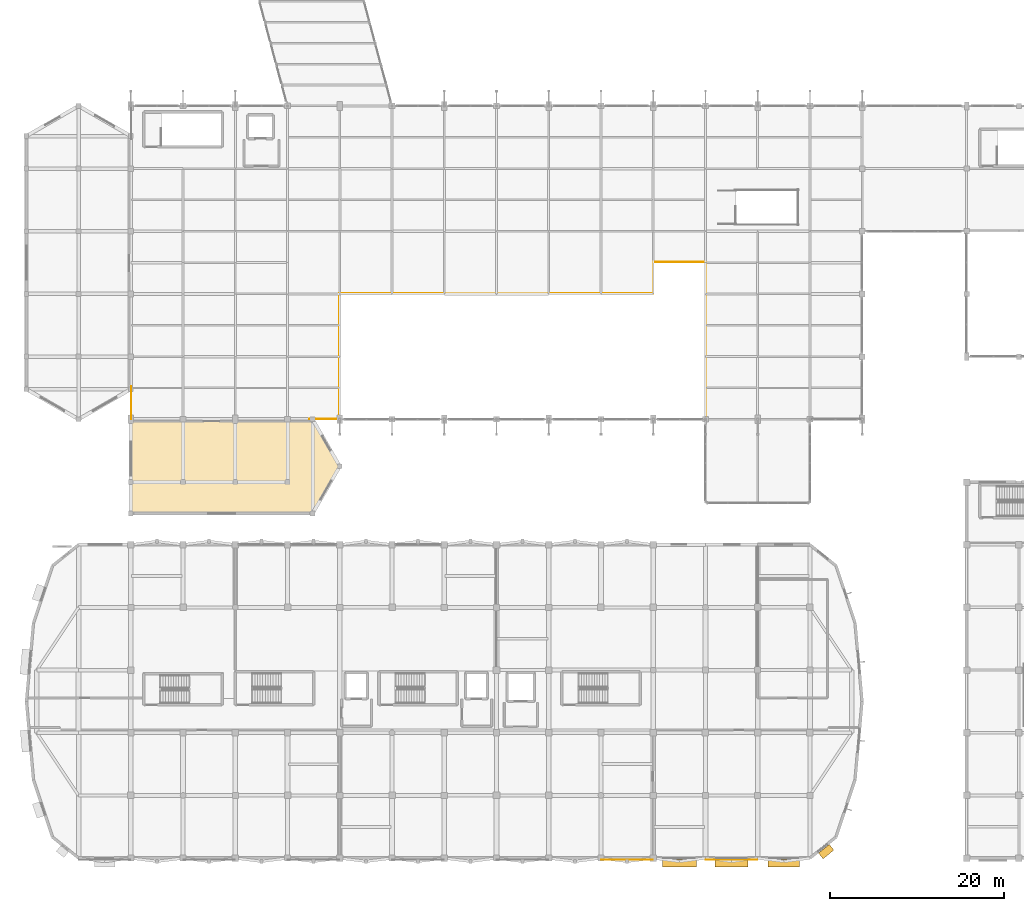
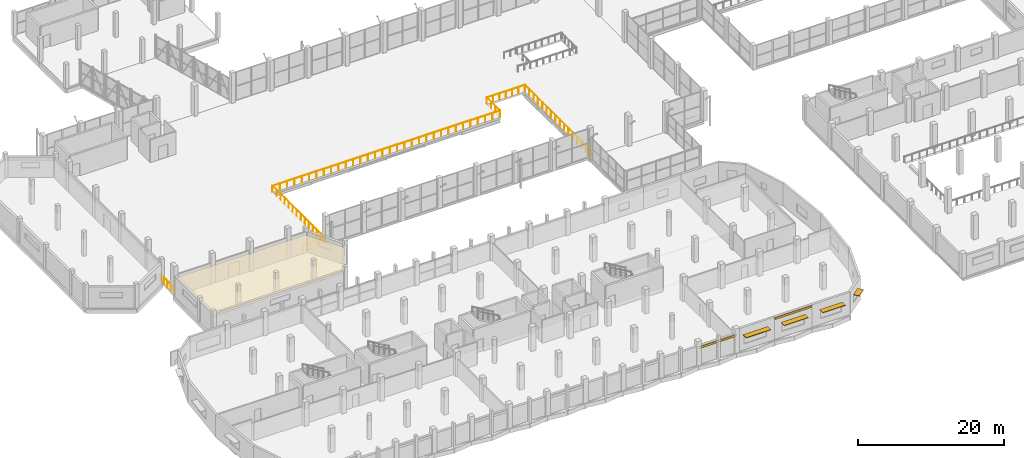
# One storey, part 119 of 127: 4 shading devices, 3 coverings, 2 railings.
"""IFC4 building model written with IfcOpenShell, lengths in metres."""

import ifcopenshell
import ifcopenshell.guid

model = None  # the IFC model being written
_history = None  # IfcOwnerHistory: only IFC2X3 demands one
_inside = {}  # id of a spatial element -> (the spatial element, [elements in it])
_under = {}  # id of a project, library or spatial element -> (it, [spatial elements below it])
_declared = {}  # id of a project -> (the project, [libraries it declares])
_typed = {}  # id of a type object -> (the type object, [elements of that type])
_made_of = {}  # id of a material, layer set ... -> (it, [elements and type objects made of it])


def new_model(schema):
    """Start an empty IFC model of exactly this schema.

    Asked for "IFC4X3", IfcOpenShell would pick the latest addendum, in which some entities
    have other attributes; the version numbers below select the first issue.
    IFC2X3 requires an IfcOwnerHistory on every rooted entity: one is made here for all.
    """
    global model, _history
    if schema == "IFC4X3":
        model = ifcopenshell.file(schema_version=(4, 3, 0, 0))
    else:
        model = ifcopenshell.file(schema=schema)
    _inside.clear()
    _under.clear()
    _declared.clear()
    _typed.clear()
    _made_of.clear()
    _history = None
    if model.schema == "IFC2X3":
        org = make("IfcOrganization", Name="unknown")
        user = make(
            "IfcPersonAndOrganization",
            ThePerson=make("IfcPerson", FamilyName="unknown"),
            TheOrganization=org,
        )
        app = make(
            "IfcApplication",
            ApplicationDeveloper=org,
            Version="unknown",
            ApplicationFullName="unknown",
            ApplicationIdentifier="unknown",
        )
        _history = make(
            "IfcOwnerHistory",
            OwningUser=user,
            OwningApplication=app,
            ChangeAction="ADDED",
            CreationDate=0,
        )
    return model


def make(cls, **values):
    """One entity of the class cls with the attributes given. An attribute that is None is left unset."""
    return model.create_entity(
        cls, **{name: value for name, value in values.items() if value is not None}
    )


def rooted(cls, **values):
    """An entity with a GlobalId (a new one), such as an element, a storey or a relation."""
    return make(cls, GlobalId=ifcopenshell.guid.new(), OwnerHistory=_history, **values)


def si_unit(unit_type, name, prefix=None):
    """IfcSIUnit, for example si_unit("LENGTHUNIT", "METRE", prefix="MILLI")."""
    return make("IfcSIUnit", UnitType=unit_type, Prefix=prefix, Name=name)


def assignment(units):
    """IfcUnitAssignment: the units of a project."""
    return None if units is None else make("IfcUnitAssignment", Units=units)


def point(xyz):
    """IfcCartesianPoint."""
    return None if xyz is None else make("IfcCartesianPoint", Coordinates=xyz)


def direction(xyz):
    """IfcDirection."""
    return None if xyz is None else make("IfcDirection", DirectionRatios=xyz)


def frame(location, z_axis=None, x_axis=None):
    """IfcAxis2Placement3D, a coordinate frame: its origin and axes. An axis left out is left unset."""
    return make(
        "IfcAxis2Placement3D",
        Location=point(location),
        Axis=direction(z_axis),
        RefDirection=direction(x_axis),
    )


def frame_2d(location, x_axis=None):
    """IfcAxis2Placement2D, a coordinate frame in the plane: its origin and x axis."""
    return make(
        "IfcAxis2Placement2D", Location=point(location), RefDirection=direction(x_axis)
    )


def origin():
    """The frame at (0, 0, 0) with its axes left unset."""
    return frame((0.0, 0.0, 0.0))


def origin_2d():
    """The frame at (0, 0) in the plane with its x axis left unset."""
    return frame_2d((0.0, 0.0))


def place(relative_to, where):
    """IfcLocalPlacement: puts the frame where relative to a parent placement (None: the world)."""
    return make(
        "IfcLocalPlacement", PlacementRelTo=relative_to, RelativePlacement=where
    )


def context(
    kind, dimensions, precision=None, world=None, true_north=None, identifier=None
):
    """IfcGeometricRepresentationContext, for example the 3D "Model" context."""
    return make(
        "IfcGeometricRepresentationContext",
        ContextIdentifier=identifier,
        ContextType=kind,
        CoordinateSpaceDimension=dimensions,
        Precision=precision,
        WorldCoordinateSystem=world,
        TrueNorth=true_north,
    )


def subcontext(parent, identifier, kind, view, scale=None):
    """IfcGeometricRepresentationSubContext, for example "Body" below "Model"."""
    return make(
        "IfcGeometricRepresentationSubContext",
        ContextIdentifier=identifier,
        ContextType=kind,
        ParentContext=parent,
        TargetScale=scale,
        TargetView=view,
    )


def project(units=None, contexts=None):
    """IfcProject with its units and contexts."""
    return rooted(
        "IfcProject",
        Name="project",
        RepresentationContexts=contexts,
        UnitsInContext=assignment(units),
    )


def spatial(cls, under=None, at=None, **own):
    """A site, building, storey or space (cls), placed at a placement, below another one or the project."""
    s = rooted(cls, ObjectPlacement=at, **own)
    if under is not None:
        _under.setdefault(under.id(), (under, []))[1].append(s)
    return s


def polyline(points):
    """IfcPolyline through the points."""
    return make("IfcPolyline", Points=[point(p) for p in points])


def profile(cls, at=None, kind="AREA", **sizes):
    """A parametric profile (cls). Its sizes go by their IFC names, for example OverallWidth=200.0."""
    return make(cls, ProfileType=kind, Position=at, **sizes)


def rectangle(**sizes):
    """IfcRectangleProfileDef."""
    return profile("IfcRectangleProfileDef", **sizes)


def circle(**sizes):
    """IfcCircleProfileDef."""
    return profile("IfcCircleProfileDef", **sizes)


def outline(outer, holes=None, kind="AREA"):
    """IfcArbitraryClosedProfileDef: a profile drawn as a closed curve; with holes, ...WithVoids."""
    if holes is None:
        return make("IfcArbitraryClosedProfileDef", ProfileType=kind, OuterCurve=outer)
    return make(
        "IfcArbitraryProfileDefWithVoids",
        ProfileType=kind,
        OuterCurve=outer,
        InnerCurves=holes,
    )


def extrude(swept, where, along, depth):
    """IfcExtrudedAreaSolid: the profile swept, set in the frame where, extruded along a direction by depth."""
    return make(
        "IfcExtrudedAreaSolid",
        SweptArea=swept,
        Position=where,
        ExtrudedDirection=direction(along),
        Depth=depth,
    )


def shape(context_of_items, identifier, shape_type, items):
    """IfcShapeRepresentation: the items that make up one representation, for example the "Body"."""
    return make(
        "IfcShapeRepresentation",
        ContextOfItems=context_of_items,
        RepresentationIdentifier=identifier,
        RepresentationType=shape_type,
        Items=items,
    )


def material(Name=None, Category=None):
    """IfcMaterial."""
    return make("IfcMaterial", Name=Name, Category=Category)


def layer(
    of_material, thickness, ventilated=None, Name=None, Category=None, Priority=None
):
    """IfcMaterialLayer: one layer of a wall or slab, of a material (None: an air gap)."""
    return make(
        "IfcMaterialLayer",
        Material=of_material,
        LayerThickness=thickness,
        IsVentilated=ventilated,
        Name=Name,
        Category=Category,
        Priority=Priority,
    )


def layer_set(layers, Name=None):
    """IfcMaterialLayerSet."""
    return make("IfcMaterialLayerSet", MaterialLayers=layers, LayerSetName=Name)


def made_of(thing, what):
    """Note that an element or type object is made of a material, layer set ...; save() writes the relation."""
    if what is not None:
        _made_of.setdefault(what.id(), (what, []))[1].append(thing)
    return thing


def type_object(cls, material=None, **own):
    """A type object (cls), such as IfcWallType, which elements share."""
    return made_of(rooted(cls, **own), material)


def element(
    cls,
    number,
    at=None,
    inside=None,
    cuts=None,
    type_object=None,
    material=None,
    context=None,
    identifier="Body",
    shape_type=None,
    held_by="IfcProductDefinitionShape",
    body=None,
    shapes=None,
    **own,
):
    """One element of the class cls, such as IfcWall. Its Tag is "e" and its number.

    at: its placement. inside: the storey or other place that contains it. cuts: it is an
    opening in that element (IfcRelVoidsElement). A single representation is given by context,
    identifier, shape_type and body (its items); several are given by shapes. held_by: the class
    of the entity that holds the representations. save() writes the other relations.
    """
    e = rooted(cls, Tag="e%d" % number, ObjectPlacement=at, **own)
    if body is not None:
        shapes = [shape(context, identifier, shape_type, body)]
    if shapes is not None:
        e.Representation = make(held_by, Representations=shapes)
    if inside is not None:
        _inside.setdefault(inside.id(), (inside, []))[1].append(e)
    if cuts is not None:
        rooted(
            "IfcRelVoidsElement", RelatingBuildingElement=cuts, RelatedOpeningElement=e
        )
    if type_object is not None:
        _typed.setdefault(type_object.id(), (type_object, []))[1].append(e)
    return made_of(e, material)


def aggregate(whole, parts):
    """IfcRelAggregates: a whole, such as a stair, and the parts it consists of."""
    return rooted("IfcRelAggregates", RelatingObject=whole, RelatedObjects=parts)


def save(model, path):
    """Write the relations noted so far, then the file.

    IfcRelAggregates (storeys below a building ...), IfcRelContainedInSpatialStructure (elements
    in a storey), IfcRelDefinesByType, IfcRelAssociatesMaterial and IfcRelDeclares: one each for
    every whole, place, type object, material and project.
    """
    for whole, parts in _under.values():
        aggregate(whole, parts)
    for where, things in _inside.values():
        rooted(
            "IfcRelContainedInSpatialStructure",
            RelatedElements=things,
            RelatingStructure=where,
        )
    for kind, things in _typed.values():
        rooted("IfcRelDefinesByType", RelatedObjects=things, RelatingType=kind)
    for what, things in _made_of.values():
        rooted("IfcRelAssociatesMaterial", RelatedObjects=things, RelatingMaterial=what)
    for by, libraries in _declared.values():
        rooted("IfcRelDeclares", RelatingContext=by, RelatedDefinitions=libraries)
    model.write(path)


model = new_model("IFC4")

# Units and contexts
model_context = context("Model", 3, precision=1e-05, world=origin(), true_north=direction((0.0, 1.0)))
body_context = subcontext(model_context, "Body", "Model", "MODEL_VIEW")
ifc_project = project(units=[si_unit("LENGTHUNIT", "METRE"), si_unit("AREAUNIT", "SQUARE_METRE"), si_unit("VOLUMEUNIT", "CUBIC_METRE"), si_unit("PLANEANGLEUNIT", "RADIAN"), si_unit("MASSUNIT", "GRAM", prefix="KILO")], contexts=[model_context])

# Site, building, storey
site_placement = place(None, origin())
site = spatial("IfcSite", under=ifc_project, at=site_placement, CompositionType="ELEMENT")
building_placement = place(site_placement, origin())
building = spatial("IfcBuilding", under=site, at=building_placement, Name="Dunvalen Ferry Terminal", CompositionType="ELEMENT")
storey_placement = place(building_placement, frame((0.0, 0.0, 5.760009765625)))
storey = spatial("IfcBuildingStorey", under=building, at=storey_placement, Name="L01", CompositionType="ELEMENT", Elevation=5.760009765625)

# Coverings
ifc_material_1 = material(Name="Anodised marine aluminium fascia cladding", Category="aluminium")
ifc_layer_1 = layer(ifc_material_1, 0.050048828125, Name="Anodised marine aluminium fascia cladding")
ifc_layer_set_1 = layer_set([ifc_layer_1], Name="Anodised marine aluminium fascia cladding")
covering_type_1 = type_object("IfcCoveringType", Name="ENV-COV-CLD01", PredefinedType="CLADDING", material=ifc_layer_set_1)
for number, where, z_axis, x_axis, name in (
    (1, (69.0, -0.18408203125, 2.68017578125), (0.0, 0.0, 1.0), (1.0, 0.0, 0.0), "L01 Streamline Speed-Line Fascia Band 013"),
    (2, (81.0, -0.18408203125, 3.35009765625), (0.0, 0.0, 1.0), (1.0, 0.0, 0.0), "L01 Streamline Speed-Line Fascia Band 014"),
):
    element("IfcCovering", number, at=place(storey_placement, frame(where, z_axis=z_axis, x_axis=x_axis)), inside=storey, type_object=covering_type_1, Name=name, PredefinedType="CLADDING", context=body_context, shape_type="SweptSolid", body=[
        extrude(rectangle(XDim=5.89990234375, YDim=0.050048828125, at=origin_2d()), origin(), (0.0, 0.0, 1.0), 0.360107421875),
    ])

# Shading devices
ifc_material_2 = material(Name="Anodised marine aluminium EN AW-6063 T6", Category="aluminium")
ifc_layer_2 = layer(ifc_material_2, 0.090087890625, Name="Anodised marine aluminium EN AW-6063 T6")
ifc_layer_set_2 = layer_set([ifc_layer_2], Name="Anodised marine aluminium EN AW-6063 T6")
shading_device_type = type_object("IfcShadingDeviceType", Name="ENV-SHD-AWN01", PredefinedType="AWNING", material=ifc_layer_set_2)
shading_device_1_placement = place(storey_placement, frame((75.0, -0.5810546875, 2.48486328125), z_axis=(0.0, 0.0, 1.0), x_axis=(1.0, 0.0, 0.0)))
element("IfcShadingDevice", 3, at=shading_device_1_placement, inside=storey, type_object=shading_device_type, Name="L01 Streamline Brise-Soleil Eyebrow 010", PredefinedType="AWNING", context=body_context, shape_type="SweptSolid", body=[
    extrude(rectangle(XDim=3.89990234375, YDim=0.85009765625, at=origin_2d()), origin(), (0.0, 0.0, 1.0), 0.090087890625),
])
shading_device_2_placement = place(storey_placement, frame((81.0, -0.5810546875, 2.43505859375), z_axis=(0.0, 0.0, 1.0), x_axis=(1.0, 0.0, 0.0)))
element("IfcShadingDevice", 4, at=shading_device_2_placement, inside=storey, type_object=shading_device_type, Name="L01 Streamline Brise-Soleil Eyebrow 011", PredefinedType="AWNING", context=body_context, shape_type="SweptSolid", body=[
    extrude(rectangle(XDim=3.800048828125, YDim=0.85009765625, at=origin_2d()), origin(), (0.0, 0.0, 1.0), 0.090087890625),
])
shading_device_3_placement = place(storey_placement, frame((87.0, -0.5810546875, 2.43505859375), z_axis=(0.0, 0.0, 1.0), x_axis=(1.0, 0.0, 0.0)))
element("IfcShadingDevice", 5, at=shading_device_3_placement, inside=storey, type_object=shading_device_type, Name="L01 Streamline Brise-Soleil Eyebrow 012", PredefinedType="AWNING", context=body_context, shape_type="SweptSolid", body=[
    extrude(rectangle(XDim=3.60009765625, YDim=0.85009765625, at=origin_2d()), origin(), (0.0, 0.0, 1.0), 0.090087890625),
])
shading_device_4_placement = place(storey_placement, frame((91.864013671875, 0.7529296875, 2.48486328125), z_axis=(0.0, 0.0, 1.0), x_axis=(0.779409252356, 0.626515137361, 0.0)))
element("IfcShadingDevice", 6, at=shading_device_4_placement, inside=storey, type_object=shading_device_type, Name="L01 Streamline Brise-Soleil Eyebrow 013", PredefinedType="AWNING", context=body_context, shape_type="SweptSolid", body=[
    extrude(rectangle(XDim=1.60009765625, YDim=0.85009765625, at=origin_2d()), origin(), (0.0, 0.0, 1.0), 0.090087890625),
])

# Covering
ifc_material_3 = material(Name="Perforated marine aluminium acoustic baffle ceiling", Category="aluminium")
ifc_layer_3 = layer(ifc_material_3, 0.0400390625, Name="Perforated marine aluminium acoustic baffle ceiling")
ifc_layer_set_3 = layer_set([ifc_layer_3], Name="Perforated marine aluminium acoustic baffle ceiling")
covering_type_2 = type_object("IfcCoveringType", Name="INT-COV-CLG01", PredefinedType="CEILING", material=ifc_layer_set_3)
covering_placement = place(storey_placement, frame((0.0, 0.0, 2.81005859375)))
element("IfcCovering", 7, at=covering_placement, inside=storey, type_object=covering_type_2, Name="L01 Upper Passenger Security Search Hall Acoustic Suspended Ceiling", PredefinedType="CEILING", context=body_context, shape_type="SweptSolid", body=[
    extrude(outline(polyline([(12.1298828125, 50.27001953125), (12.1298828125, 39.72998046875), (32.807373046875, 39.72998046875), (35.849853515625, 45.0), (32.807373046875, 50.27001953125), (12.1298828125, 50.27001953125)])), origin(), (0.0, 0.0, 1.0), 0.0400390625),
])

# Railings
ifc_material_4 = material(Name="Marine grade 316 stainless steel and laminated glass", Category="steel")
railing_type = type_object("IfcRailingType", Name="INT-RL-MZBAL", PredefinedType="BALUSTRADE", material=ifc_material_4)
railing_1_placement = place(storey_placement, frame((32.5, 50.449951171875, 0.0)))
element("IfcRailing", 8, at=railing_1_placement, inside=storey, type_object=railing_type, Name="L01 Internal Safety Guard BAL-V1-MEZZ-1", PredefinedType="BALUSTRADE", context=body_context, shape_type="SweptSolid", body=[
    extrude(circle(Radius=0.02392578125, at=origin_2d()), frame((0.0, 0.0, 1.09619140625), z_axis=(1.0, 0.0, 0.0), x_axis=(0.0, 1.0, 0.0)), (0.0, 0.0, 1.0), 3.449951171875),
    extrude(circle(Radius=0.02392578125, at=origin_2d()), frame((3.449951171875, 0.0, 1.09619140625), z_axis=(0.0, 1.0, 0.0), x_axis=(-1.0, 0.0, 0.0)), (0.0, 0.0, 1.0), 14.400146484375),
    extrude(circle(Radius=0.02392578125, at=origin_2d()), frame((3.449951171875, 14.400146484375, 1.09619140625), z_axis=(1.0, 0.0, 0.0), x_axis=(0.0, 1.0, 0.0)), (0.0, 0.0, 1.0), 36.050048828125),
    extrude(circle(Radius=0.02392578125, at=origin_2d()), frame((39.5, 14.400146484375, 1.09619140625), z_axis=(0.0, 1.0, 0.0), x_axis=(-1.0, 0.0, 0.0)), (0.0, 0.0, 1.0), 3.599853515625),
    extrude(circle(Radius=0.02392578125, at=origin_2d()), frame((39.5, 18.0, 1.09619140625), z_axis=(1.0, 0.0, 0.0), x_axis=(0.0, 1.0, 0.0)), (0.0, 0.0, 1.0), 6.050048828125),
    extrude(circle(Radius=0.02392578125, at=origin_2d()), frame((45.550048828125, 18.0, 1.09619140625), z_axis=(0.0, -1.0, 0.0), x_axis=(1.0, 0.0, 0.0)), (0.0, 0.0, 1.0), 18.0),
    extrude(circle(Radius=0.02099609375, at=origin_2d()), origin(), (0.0, 0.0, 1.0), 1.072021484375),
    extrude(circle(Radius=0.02099609375, at=origin_2d()), frame((1.14990234375, 0.0, 0.0)), (0.0, 0.0, 1.0), 1.072021484375),
    extrude(circle(Radius=0.02099609375, at=origin_2d()), frame((2.300048828125, 0.0, 0.0)), (0.0, 0.0, 1.0), 1.072021484375),
    extrude(circle(Radius=0.02099609375, at=origin_2d()), frame((3.449951171875, 0.0, 0.0)), (0.0, 0.0, 1.0), 1.072021484375),
    extrude(circle(Radius=0.02099609375, at=origin_2d()), frame((3.449951171875, 1.107666015625, 0.0)), (0.0, 0.0, 1.0), 1.072021484375),
    extrude(circle(Radius=0.02099609375, at=origin_2d()), frame((3.449951171875, 2.21533203125, 0.0)), (0.0, 0.0, 1.0), 1.072021484375),
    extrude(circle(Radius=0.02099609375, at=origin_2d()), frame((3.449951171875, 3.322998046875, 0.0)), (0.0, 0.0, 1.0), 1.072021484375),
    extrude(circle(Radius=0.02099609375, at=origin_2d()), frame((3.449951171875, 4.430908203125, 0.0)), (0.0, 0.0, 1.0), 1.072021484375),
    extrude(circle(Radius=0.02099609375, at=origin_2d()), frame((3.449951171875, 5.53857421875, 0.0)), (0.0, 0.0, 1.0), 1.072021484375),
    extrude(circle(Radius=0.02099609375, at=origin_2d()), frame((3.449951171875, 6.646240234375, 0.0)), (0.0, 0.0, 1.0), 1.072021484375),
    extrude(circle(Radius=0.02099609375, at=origin_2d()), frame((3.449951171875, 7.75390625, 0.0)), (0.0, 0.0, 1.0), 1.072021484375),
    extrude(circle(Radius=0.02099609375, at=origin_2d()), frame((3.449951171875, 8.861572265625, 0.0)), (0.0, 0.0, 1.0), 1.072021484375),
    extrude(circle(Radius=0.02099609375, at=origin_2d()), frame((3.449951171875, 9.96923828125, 0.0)), (0.0, 0.0, 1.0), 1.072021484375),
    extrude(circle(Radius=0.02099609375, at=origin_2d()), frame((3.449951171875, 11.0771484375, 0.0)), (0.0, 0.0, 1.0), 1.072021484375),
    extrude(circle(Radius=0.02099609375, at=origin_2d()), frame((3.449951171875, 12.184814453125, 0.0)), (0.0, 0.0, 1.0), 1.072021484375),
    extrude(circle(Radius=0.02099609375, at=origin_2d()), frame((3.449951171875, 13.29248046875, 0.0)), (0.0, 0.0, 1.0), 1.072021484375),
    extrude(circle(Radius=0.02099609375, at=origin_2d()), frame((3.449951171875, 14.400146484375, 0.0)), (0.0, 0.0, 1.0), 1.072021484375),
    extrude(circle(Radius=0.02099609375, at=origin_2d()), frame((4.61279296875, 14.400146484375, 0.0)), (0.0, 0.0, 1.0), 1.072021484375),
    extrude(circle(Radius=0.02099609375, at=origin_2d()), frame((5.77587890625, 14.400146484375, 0.0)), (0.0, 0.0, 1.0), 1.072021484375),
    extrude(circle(Radius=0.02099609375, at=origin_2d()), frame((6.938720703125, 14.400146484375, 0.0)), (0.0, 0.0, 1.0), 1.072021484375),
    extrude(circle(Radius=0.02099609375, at=origin_2d()), frame((8.1015625, 14.400146484375, 0.0)), (0.0, 0.0, 1.0), 1.072021484375),
    extrude(circle(Radius=0.02099609375, at=origin_2d()), frame((9.264404296875, 14.400146484375, 0.0)), (0.0, 0.0, 1.0), 1.072021484375),
    extrude(circle(Radius=0.02099609375, at=origin_2d()), frame((10.427490234375, 14.400146484375, 0.0)), (0.0, 0.0, 1.0), 1.072021484375),
    extrude(circle(Radius=0.02099609375, at=origin_2d()), frame((11.59033203125, 14.400146484375, 0.0)), (0.0, 0.0, 1.0), 1.072021484375),
    extrude(circle(Radius=0.02099609375, at=origin_2d()), frame((12.753173828125, 14.400146484375, 0.0)), (0.0, 0.0, 1.0), 1.072021484375),
    extrude(circle(Radius=0.02099609375, at=origin_2d()), frame((13.916015625, 14.400146484375, 0.0)), (0.0, 0.0, 1.0), 1.072021484375),
    extrude(circle(Radius=0.02099609375, at=origin_2d()), frame((15.0791015625, 14.400146484375, 0.0)), (0.0, 0.0, 1.0), 1.072021484375),
    extrude(circle(Radius=0.02099609375, at=origin_2d()), frame((16.241943359375, 14.400146484375, 0.0)), (0.0, 0.0, 1.0), 1.072021484375),
    extrude(circle(Radius=0.02099609375, at=origin_2d()), frame((17.40478515625, 14.400146484375, 0.0)), (0.0, 0.0, 1.0), 1.072021484375),
    extrude(circle(Radius=0.02099609375, at=origin_2d()), frame((18.567626953125, 14.400146484375, 0.0)), (0.0, 0.0, 1.0), 1.072021484375),
    extrude(circle(Radius=0.02099609375, at=origin_2d()), frame((19.730712890625, 14.400146484375, 0.0)), (0.0, 0.0, 1.0), 1.072021484375),
    extrude(circle(Radius=0.02099609375, at=origin_2d()), frame((20.8935546875, 14.400146484375, 0.0)), (0.0, 0.0, 1.0), 1.072021484375),
    extrude(circle(Radius=0.02099609375, at=origin_2d()), frame((22.056396484375, 14.400146484375, 0.0)), (0.0, 0.0, 1.0), 1.072021484375),
    extrude(circle(Radius=0.02099609375, at=origin_2d()), frame((23.21923828125, 14.400146484375, 0.0)), (0.0, 0.0, 1.0), 1.072021484375),
    extrude(circle(Radius=0.02099609375, at=origin_2d()), frame((24.38232421875, 14.400146484375, 0.0)), (0.0, 0.0, 1.0), 1.072021484375),
    extrude(circle(Radius=0.02099609375, at=origin_2d()), frame((25.545166015625, 14.400146484375, 0.0)), (0.0, 0.0, 1.0), 1.072021484375),
    extrude(circle(Radius=0.02099609375, at=origin_2d()), frame((26.7080078125, 14.400146484375, 0.0)), (0.0, 0.0, 1.0), 1.072021484375),
    extrude(circle(Radius=0.02099609375, at=origin_2d()), frame((27.870849609375, 14.400146484375, 0.0)), (0.0, 0.0, 1.0), 1.072021484375),
    extrude(circle(Radius=0.02099609375, at=origin_2d()), frame((29.033935546875, 14.400146484375, 0.0)), (0.0, 0.0, 1.0), 1.072021484375),
    extrude(circle(Radius=0.02099609375, at=origin_2d()), frame((30.19677734375, 14.400146484375, 0.0)), (0.0, 0.0, 1.0), 1.072021484375),
    extrude(circle(Radius=0.02099609375, at=origin_2d()), frame((31.359619140625, 14.400146484375, 0.0)), (0.0, 0.0, 1.0), 1.072021484375),
    extrude(circle(Radius=0.02099609375, at=origin_2d()), frame((32.5224609375, 14.400146484375, 0.0)), (0.0, 0.0, 1.0), 1.072021484375),
    extrude(circle(Radius=0.02099609375, at=origin_2d()), frame((33.685546875, 14.400146484375, 0.0)), (0.0, 0.0, 1.0), 1.072021484375),
    extrude(circle(Radius=0.02099609375, at=origin_2d()), frame((34.848388671875, 14.400146484375, 0.0)), (0.0, 0.0, 1.0), 1.072021484375),
    extrude(circle(Radius=0.02099609375, at=origin_2d()), frame((36.01123046875, 14.400146484375, 0.0)), (0.0, 0.0, 1.0), 1.072021484375),
    extrude(circle(Radius=0.02099609375, at=origin_2d()), frame((37.174072265625, 14.400146484375, 0.0)), (0.0, 0.0, 1.0), 1.072021484375),
    extrude(circle(Radius=0.02099609375, at=origin_2d()), frame((38.337158203125, 14.400146484375, 0.0)), (0.0, 0.0, 1.0), 1.072021484375),
    extrude(circle(Radius=0.02099609375, at=origin_2d()), frame((39.5, 14.400146484375, 0.0)), (0.0, 0.0, 1.0), 1.072021484375),
    extrude(circle(Radius=0.02099609375, at=origin_2d()), frame((39.5, 15.60009765625, 0.0)), (0.0, 0.0, 1.0), 1.072021484375),
    extrude(circle(Radius=0.02099609375, at=origin_2d()), frame((39.5, 16.800048828125, 0.0)), (0.0, 0.0, 1.0), 1.072021484375),
    extrude(circle(Radius=0.02099609375, at=origin_2d()), frame((39.5, 18.0, 0.0)), (0.0, 0.0, 1.0), 1.072021484375),
    extrude(circle(Radius=0.02099609375, at=origin_2d()), frame((40.50830078125, 18.0, 0.0)), (0.0, 0.0, 1.0), 1.072021484375),
    extrude(circle(Radius=0.02099609375, at=origin_2d()), frame((41.5166015625, 18.0, 0.0)), (0.0, 0.0, 1.0), 1.072021484375),
    extrude(circle(Radius=0.02099609375, at=origin_2d()), frame((42.52490234375, 18.0, 0.0)), (0.0, 0.0, 1.0), 1.072021484375),
    extrude(circle(Radius=0.02099609375, at=origin_2d()), frame((43.533447265625, 18.0, 0.0)), (0.0, 0.0, 1.0), 1.072021484375),
    extrude(circle(Radius=0.02099609375, at=origin_2d()), frame((44.541748046875, 18.0, 0.0)), (0.0, 0.0, 1.0), 1.072021484375),
    extrude(circle(Radius=0.02099609375, at=origin_2d()), frame((45.550048828125, 18.0, 0.0)), (0.0, 0.0, 1.0), 1.072021484375),
    extrude(circle(Radius=0.02099609375, at=origin_2d()), frame((45.550048828125, 16.800048828125, 0.0)), (0.0, 0.0, 1.0), 1.072021484375),
    extrude(circle(Radius=0.02099609375, at=origin_2d()), frame((45.550048828125, 15.60009765625, 0.0)), (0.0, 0.0, 1.0), 1.072021484375),
    extrude(circle(Radius=0.02099609375, at=origin_2d()), frame((45.550048828125, 14.39990234375, 0.0)), (0.0, 0.0, 1.0), 1.072021484375),
    extrude(circle(Radius=0.02099609375, at=origin_2d()), frame((45.550048828125, 13.199951171875, 0.0)), (0.0, 0.0, 1.0), 1.072021484375),
    extrude(circle(Radius=0.02099609375, at=origin_2d()), frame((45.550048828125, 12.0, 0.0)), (0.0, 0.0, 1.0), 1.072021484375),
    extrude(circle(Radius=0.02099609375, at=origin_2d()), frame((45.550048828125, 10.800048828125, 0.0)), (0.0, 0.0, 1.0), 1.072021484375),
    extrude(circle(Radius=0.02099609375, at=origin_2d()), frame((45.550048828125, 9.60009765625, 0.0)), (0.0, 0.0, 1.0), 1.072021484375),
    extrude(circle(Radius=0.02099609375, at=origin_2d()), frame((45.550048828125, 8.39990234375, 0.0)), (0.0, 0.0, 1.0), 1.072021484375),
    extrude(circle(Radius=0.02099609375, at=origin_2d()), frame((45.550048828125, 7.199951171875, 0.0)), (0.0, 0.0, 1.0), 1.072021484375),
    extrude(circle(Radius=0.02099609375, at=origin_2d()), frame((45.550048828125, 6.0, 0.0)), (0.0, 0.0, 1.0), 1.072021484375),
    extrude(circle(Radius=0.02099609375, at=origin_2d()), frame((45.550048828125, 4.800048828125, 0.0)), (0.0, 0.0, 1.0), 1.072021484375),
    extrude(circle(Radius=0.02099609375, at=origin_2d()), frame((45.550048828125, 3.60009765625, 0.0)), (0.0, 0.0, 1.0), 1.072021484375),
    extrude(circle(Radius=0.02099609375, at=origin_2d()), frame((45.550048828125, 2.39990234375, 0.0)), (0.0, 0.0, 1.0), 1.072021484375),
    extrude(circle(Radius=0.02099609375, at=origin_2d()), frame((45.550048828125, 1.199951171875, 0.0)), (0.0, 0.0, 1.0), 1.072021484375),
    extrude(circle(Radius=0.02099609375, at=origin_2d()), frame((45.550048828125, 0.0, 0.0)), (0.0, 0.0, 1.0), 1.072021484375),
])
railing_2_placement = place(storey_placement, frame((12.050048828125, 50.449951171875, 0.0)))
element("IfcRailing", 9, at=railing_2_placement, inside=storey, type_object=railing_type, Name="L01 Internal Safety Guard BAL-V1-MEZZ-WS", PredefinedType="BALUSTRADE", context=body_context, shape_type="SweptSolid", body=[
    extrude(circle(Radius=0.02392578125, at=origin_2d()), frame((0.0, 0.0, 1.09619140625), z_axis=(0.0, 1.0, 0.0), x_axis=(-1.0, 0.0, 0.0)), (0.0, 0.0, 1.0), 3.75),
    extrude(circle(Radius=0.02099609375, at=origin_2d()), origin(), (0.0, 0.0, 1.0), 1.072021484375),
    extrude(circle(Radius=0.02099609375, at=origin_2d()), frame((0.0, 0.9375, 0.0)), (0.0, 0.0, 1.0), 1.072021484375),
    extrude(circle(Radius=0.02099609375, at=origin_2d()), frame((0.0, 1.875, 0.0)), (0.0, 0.0, 1.0), 1.072021484375),
    extrude(circle(Radius=0.02099609375, at=origin_2d()), frame((0.0, 2.8125, 0.0)), (0.0, 0.0, 1.0), 1.072021484375),
    extrude(circle(Radius=0.02099609375, at=origin_2d()), frame((0.0, 3.75, 0.0)), (0.0, 0.0, 1.0), 1.072021484375),
])

save(model, "model.ifc")
